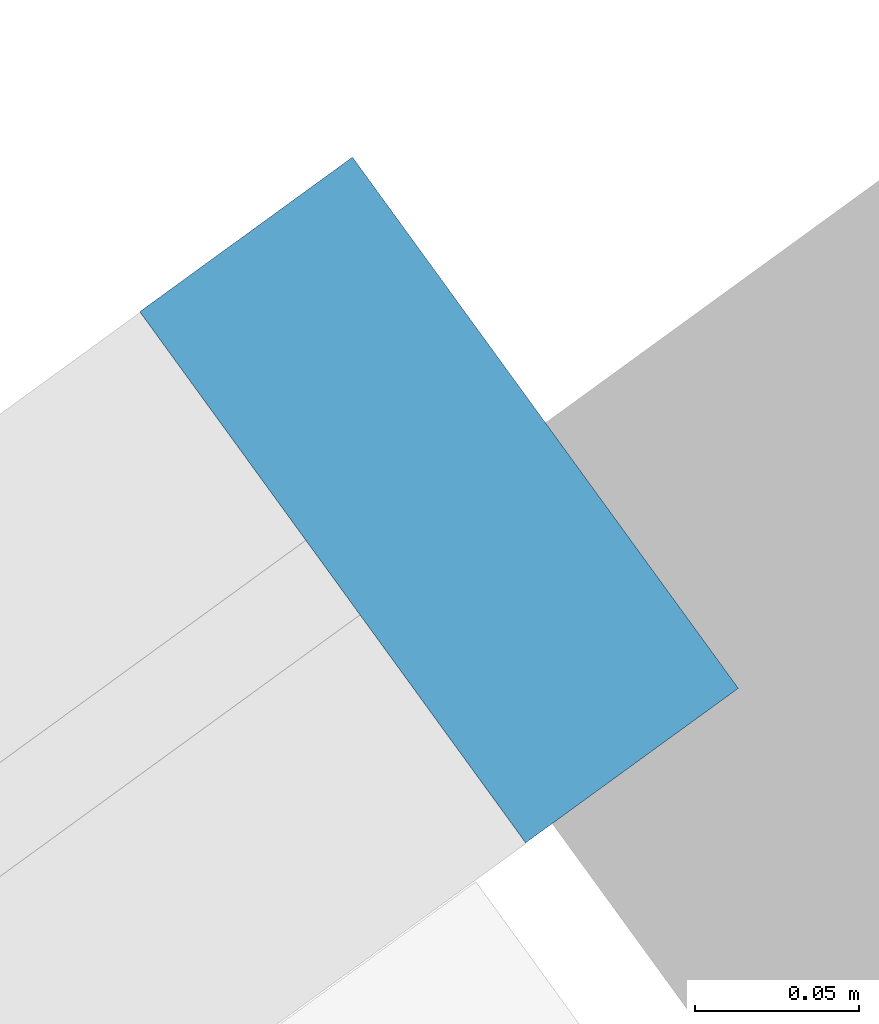
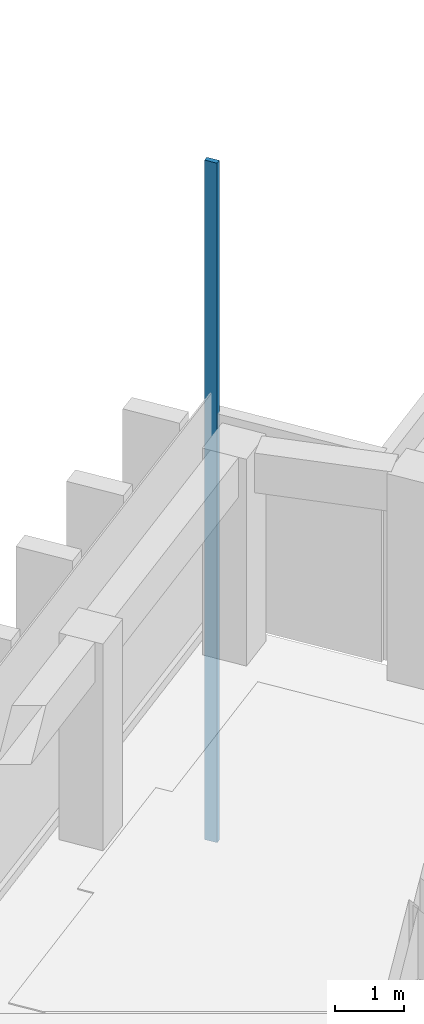
# One storey, part 5 of 14: 1 member, 1 element without a shape of its own.
"""IFC4 building model written with IfcOpenShell, lengths in metres."""

import ifcopenshell
import ifcopenshell.guid

model = None  # the IFC model being written
_history = None  # IfcOwnerHistory: only IFC2X3 demands one
_inside = {}  # id of a spatial element -> (the spatial element, [elements in it])
_under = {}  # id of a project, library or spatial element -> (it, [spatial elements below it])
_declared = {}  # id of a project -> (the project, [libraries it declares])
_typed = {}  # id of a type object -> (the type object, [elements of that type])
_made_of = {}  # id of a material, layer set ... -> (it, [elements and type objects made of it])


def new_model(schema):
    """Start an empty IFC model of exactly this schema.

    Asked for "IFC4X3", IfcOpenShell would pick the latest addendum, in which some entities
    have other attributes; the version numbers below select the first issue.
    IFC2X3 requires an IfcOwnerHistory on every rooted entity: one is made here for all.
    """
    global model, _history
    if schema == "IFC4X3":
        model = ifcopenshell.file(schema_version=(4, 3, 0, 0))
    else:
        model = ifcopenshell.file(schema=schema)
    _inside.clear()
    _under.clear()
    _declared.clear()
    _typed.clear()
    _made_of.clear()
    _history = None
    if model.schema == "IFC2X3":
        org = make("IfcOrganization", Name="unknown")
        user = make(
            "IfcPersonAndOrganization",
            ThePerson=make("IfcPerson", FamilyName="unknown"),
            TheOrganization=org,
        )
        app = make(
            "IfcApplication",
            ApplicationDeveloper=org,
            Version="unknown",
            ApplicationFullName="unknown",
            ApplicationIdentifier="unknown",
        )
        _history = make(
            "IfcOwnerHistory",
            OwningUser=user,
            OwningApplication=app,
            ChangeAction="ADDED",
            CreationDate=0,
        )
    return model


def make(cls, **values):
    """One entity of the class cls with the attributes given. An attribute that is None is left unset."""
    return model.create_entity(
        cls, **{name: value for name, value in values.items() if value is not None}
    )


def rooted(cls, **values):
    """An entity with a GlobalId (a new one), such as an element, a storey or a relation."""
    return make(cls, GlobalId=ifcopenshell.guid.new(), OwnerHistory=_history, **values)


def si_unit(unit_type, name, prefix=None):
    """IfcSIUnit, for example si_unit("LENGTHUNIT", "METRE", prefix="MILLI")."""
    return make("IfcSIUnit", UnitType=unit_type, Prefix=prefix, Name=name)


def assignment(units):
    """IfcUnitAssignment: the units of a project."""
    return None if units is None else make("IfcUnitAssignment", Units=units)


def point(xyz):
    """IfcCartesianPoint."""
    return None if xyz is None else make("IfcCartesianPoint", Coordinates=xyz)


def direction(xyz):
    """IfcDirection."""
    return None if xyz is None else make("IfcDirection", DirectionRatios=xyz)


def frame(location, z_axis=None, x_axis=None):
    """IfcAxis2Placement3D, a coordinate frame: its origin and axes. An axis left out is left unset."""
    return make(
        "IfcAxis2Placement3D",
        Location=point(location),
        Axis=direction(z_axis),
        RefDirection=direction(x_axis),
    )


def frame_2d(location, x_axis=None):
    """IfcAxis2Placement2D, a coordinate frame in the plane: its origin and x axis."""
    return make(
        "IfcAxis2Placement2D", Location=point(location), RefDirection=direction(x_axis)
    )


def origin():
    """The frame at (0, 0, 0) with its axes left unset."""
    return frame((0.0, 0.0, 0.0))


def origin_2d():
    """The frame at (0, 0) in the plane with its x axis left unset."""
    return frame_2d((0.0, 0.0))


def place(relative_to, where):
    """IfcLocalPlacement: puts the frame where relative to a parent placement (None: the world)."""
    return make(
        "IfcLocalPlacement", PlacementRelTo=relative_to, RelativePlacement=where
    )


def context(
    kind, dimensions, precision=None, world=None, true_north=None, identifier=None
):
    """IfcGeometricRepresentationContext, for example the 3D "Model" context."""
    return make(
        "IfcGeometricRepresentationContext",
        ContextIdentifier=identifier,
        ContextType=kind,
        CoordinateSpaceDimension=dimensions,
        Precision=precision,
        WorldCoordinateSystem=world,
        TrueNorth=true_north,
    )


def subcontext(parent, identifier, kind, view, scale=None):
    """IfcGeometricRepresentationSubContext, for example "Body" below "Model"."""
    return make(
        "IfcGeometricRepresentationSubContext",
        ContextIdentifier=identifier,
        ContextType=kind,
        ParentContext=parent,
        TargetScale=scale,
        TargetView=view,
    )


def project(units=None, contexts=None):
    """IfcProject with its units and contexts."""
    return rooted(
        "IfcProject",
        Name="project",
        RepresentationContexts=contexts,
        UnitsInContext=assignment(units),
    )


def spatial(cls, under=None, at=None, **own):
    """A site, building, storey or space (cls), placed at a placement, below another one or the project."""
    s = rooted(cls, ObjectPlacement=at, **own)
    if under is not None:
        _under.setdefault(under.id(), (under, []))[1].append(s)
    return s


def profile(cls, at=None, kind="AREA", **sizes):
    """A parametric profile (cls). Its sizes go by their IFC names, for example OverallWidth=200.0."""
    return make(cls, ProfileType=kind, Position=at, **sizes)


def rectangle(**sizes):
    """IfcRectangleProfileDef."""
    return profile("IfcRectangleProfileDef", **sizes)


def extrude(swept, where, along, depth):
    """IfcExtrudedAreaSolid: the profile swept, set in the frame where, extruded along a direction by depth."""
    return make(
        "IfcExtrudedAreaSolid",
        SweptArea=swept,
        Position=where,
        ExtrudedDirection=direction(along),
        Depth=depth,
    )


def shape(context_of_items, identifier, shape_type, items):
    """IfcShapeRepresentation: the items that make up one representation, for example the "Body"."""
    return make(
        "IfcShapeRepresentation",
        ContextOfItems=context_of_items,
        RepresentationIdentifier=identifier,
        RepresentationType=shape_type,
        Items=items,
    )


def material(Name=None, Category=None):
    """IfcMaterial."""
    return make("IfcMaterial", Name=Name, Category=Category)


def material_profile(
    of_material, cross_section, Name=None, Category=None, Priority=None
):
    """IfcMaterialProfile: a cross section and its material."""
    return make(
        "IfcMaterialProfile",
        Name=Name,
        Material=of_material,
        Profile=cross_section,
        Priority=Priority,
        Category=Category,
    )


def profile_set(profiles, Name=None, composite=None):
    """IfcMaterialProfileSet."""
    return make(
        "IfcMaterialProfileSet",
        Name=Name,
        MaterialProfiles=profiles,
        CompositeProfile=composite,
    )


def made_of(thing, what):
    """Note that an element or type object is made of a material, layer set ...; save() writes the relation."""
    if what is not None:
        _made_of.setdefault(what.id(), (what, []))[1].append(thing)
    return thing


def type_object(cls, material=None, **own):
    """A type object (cls), such as IfcWallType, which elements share."""
    return made_of(rooted(cls, **own), material)


def element(
    cls,
    number,
    at=None,
    inside=None,
    cuts=None,
    type_object=None,
    material=None,
    context=None,
    identifier="Body",
    shape_type=None,
    held_by="IfcProductDefinitionShape",
    body=None,
    shapes=None,
    **own,
):
    """One element of the class cls, such as IfcWall. Its Tag is "e" and its number.

    at: its placement. inside: the storey or other place that contains it. cuts: it is an
    opening in that element (IfcRelVoidsElement). A single representation is given by context,
    identifier, shape_type and body (its items); several are given by shapes. held_by: the class
    of the entity that holds the representations. save() writes the other relations.
    """
    e = rooted(cls, Tag="e%d" % number, ObjectPlacement=at, **own)
    if body is not None:
        shapes = [shape(context, identifier, shape_type, body)]
    if shapes is not None:
        e.Representation = make(held_by, Representations=shapes)
    if inside is not None:
        _inside.setdefault(inside.id(), (inside, []))[1].append(e)
    if cuts is not None:
        rooted(
            "IfcRelVoidsElement", RelatingBuildingElement=cuts, RelatedOpeningElement=e
        )
    if type_object is not None:
        _typed.setdefault(type_object.id(), (type_object, []))[1].append(e)
    return made_of(e, material)


def aggregate(whole, parts):
    """IfcRelAggregates: a whole, such as a stair, and the parts it consists of."""
    return rooted("IfcRelAggregates", RelatingObject=whole, RelatedObjects=parts)


def save(model, path):
    """Write the relations noted so far, then the file.

    IfcRelAggregates (storeys below a building ...), IfcRelContainedInSpatialStructure (elements
    in a storey), IfcRelDefinesByType, IfcRelAssociatesMaterial and IfcRelDeclares: one each for
    every whole, place, type object, material and project.
    """
    for whole, parts in _under.values():
        aggregate(whole, parts)
    for where, things in _inside.values():
        rooted(
            "IfcRelContainedInSpatialStructure",
            RelatedElements=things,
            RelatingStructure=where,
        )
    for kind, things in _typed.values():
        rooted("IfcRelDefinesByType", RelatedObjects=things, RelatingType=kind)
    for what, things in _made_of.values():
        rooted("IfcRelAssociatesMaterial", RelatedObjects=things, RelatingMaterial=what)
    for by, libraries in _declared.values():
        rooted("IfcRelDeclares", RelatingContext=by, RelatedDefinitions=libraries)
    model.write(path)


model = new_model("IFC4")

# Units and contexts
model_context = context("Model", 3, precision=1e-05, world=origin(), true_north=direction((0.0, 1.0)))
body_context = subcontext(model_context, "Body", "Model", "MODEL_VIEW")
ifc_project = project(units=[si_unit("LENGTHUNIT", "METRE"), si_unit("AREAUNIT", "SQUARE_METRE"), si_unit("VOLUMEUNIT", "CUBIC_METRE"), si_unit("PLANEANGLEUNIT", "RADIAN"), si_unit("MASSUNIT", "GRAM", prefix="KILO")], contexts=[model_context])

# Site, building, storey
site_placement = place(None, origin())
site = spatial("IfcSite", under=ifc_project, at=site_placement, CompositionType="ELEMENT")
building_placement = place(site_placement, origin())
building = spatial("IfcBuilding", under=site, at=building_placement, Name="Quipu Civic Tower", CompositionType="ELEMENT")
storey_placement = place(building_placement, frame((0.0, 0.0, 335.0)))
storey = spatial("IfcBuildingStorey", under=building, at=storey_placement, Name="L78", CompositionType="ELEMENT", Elevation=335.0)

# Curtain wall, member
ifc_material_1 = material(Name="Insulated glass unit", Category="glass")
curtain_wall_type = type_object("IfcCurtainWallType", Name="Office curtain wall CW1", PredefinedType="NOTDEFINED", material=ifc_material_1)
curtain_wall_placement = place(storey_placement, origin())
curtain_wall = element("IfcCurtainWall", 1, at=curtain_wall_placement, inside=storey, type_object=curtain_wall_type, Name="Office curtain wall CW1 L77 run 6", PredefinedType="NOTDEFINED")
ifc_material_2 = material(Name="Anodised aluminium", Category="aluminium")
ifc_material_profile = material_profile(ifc_material_2, rectangle(XDim=0.199951171875, YDim=0.080078125, at=origin_2d()), Name="RECT 200x80")
ifc_profile_set = profile_set([ifc_material_profile], Name="Anodised aluminium")
member_type = type_object("IfcMemberType", Name="Mullion CW1", PredefinedType="MULLION", material=ifc_profile_set)
member_placement = place(storey_placement, frame((-28.4111328125, 21.206298828125, -3.919921875), z_axis=(0.0, 0.0, 1.0), x_axis=(0.587787753918, -0.809015176832, 0.0)))
member = element("IfcMember", 2, at=member_placement, type_object=member_type, Name="CW1 mullion 1", PredefinedType="MULLION", context=body_context, shape_type="SweptSolid", body=[
    extrude(rectangle(XDim=0.199951171875, YDim=0.080078125, at=origin_2d()), origin(), (0.0, 0.0, 1.0), 12.0),
])
aggregate(curtain_wall, [member])

save(model, "model.ifc")
